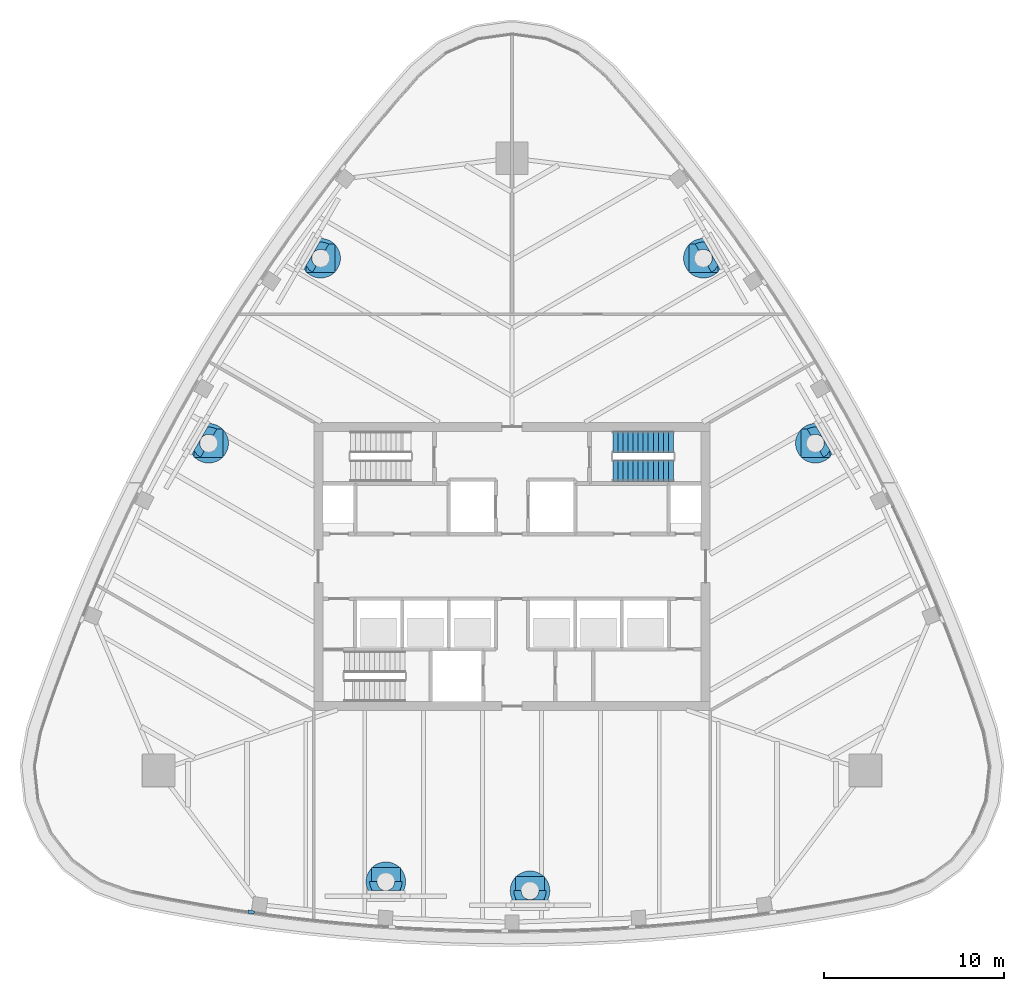
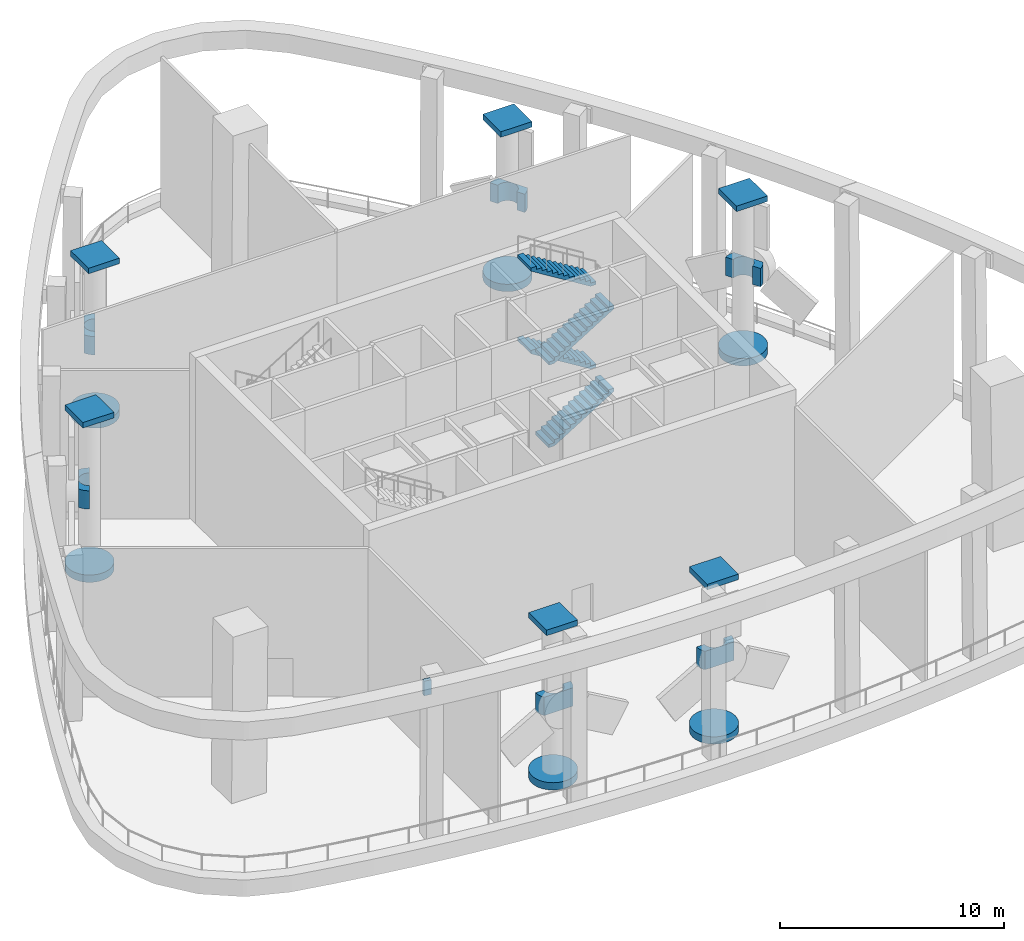
# One storey, part 5 of 12: 19 discrete accessories, 4 stair flights, 1 element without a shape of its own.
"""IFC4 building model written with IfcOpenShell, lengths in metres."""

from ifc_helpers import new_model, si_unit, direction, frame, origin, origin_2d, place, context, subcontext, project, spatial, polyline, rectangle, outline, extrude, material, type_object, element, aggregate, save


model = new_model("IFC4")

# Units and contexts
model_context = context("Model", 3, precision=1e-05, world=origin(), true_north=direction((0.0, 1.0)))
body_context = subcontext(model_context, "Body", "Model", "MODEL_VIEW")
ifc_project = project(units=[si_unit("LENGTHUNIT", "METRE"), si_unit("AREAUNIT", "SQUARE_METRE"), si_unit("VOLUMEUNIT", "CUBIC_METRE"), si_unit("PLANEANGLEUNIT", "RADIAN"), si_unit("MASSUNIT", "GRAM", prefix="KILO")], contexts=[model_context])

# Site, building, storey
site_placement = place(None, origin())
site = spatial("IfcSite", under=ifc_project, at=site_placement, CompositionType="ELEMENT")
building_placement = place(site_placement, origin())
building = spatial("IfcBuilding", under=site, at=building_placement, Name="Sierra Prisma Convention Tower", CompositionType="ELEMENT")
storey_placement = place(building_placement, frame((0.0, 0.0, 330.39990234375)))
storey = spatial("IfcBuildingStorey", under=building, at=storey_placement, Name="L75", CompositionType="ELEMENT", Elevation=330.39990234375)

# Stair, stair flights
ifc_material_1 = material(Name="Concrete C30/37", Category="concrete")
stair_type = type_object("IfcStairType", Name="Stair dog-leg 1200 RC", PredefinedType="HALF_TURN_STAIR", material=ifc_material_1)
stair_placement = place(storey_placement, origin())
stair = element("IfcStair", 1, at=stair_placement, inside=storey, type_object=stair_type, Name="L75 S4", PredefinedType="HALF_TURN_STAIR")
ifc_material_2 = material(Name="Concrete C30/37", Category="concrete")
stair_flight_type = type_object("IfcStairFlightType", Name="Stair flight RC 1200", PredefinedType="STRAIGHT", material=ifc_material_2)
stair_flight_1_placement = place(storey_placement, frame((5.60009765625, 5.300048828125, 0.0), z_axis=(0.0, 0.0, 1.0), x_axis=(1.0, 0.0, 0.0)))
stair_flight_1 = element("IfcStairFlight", 2, at=stair_flight_1_placement, type_object=stair_flight_type, Name="S4 flight 1", NumberOfRisers=13, NumberOfTreads=12, PredefinedType="STRAIGHT", RiserHeight=0.173076923, TreadLength=0.28, context=body_context, shape_type="SweptSolid", body=[
    extrude(outline(polyline([(0.0, 0.0), (0.0, 0.173095703125), (0.280029296875, 0.173095703125), (0.280029296875, 0.34619140625), (0.56005859375, 0.34619140625), (0.56005859375, 0.519287109375), (0.840087890625, 0.519287109375), (0.840087890625, 0.6923828125), (1.1201171875, 0.6923828125), (1.1201171875, 0.865478515625), (1.39990234375, 0.865478515625), (1.39990234375, 1.03857421875), (1.679931640625, 1.03857421875), (1.679931640625, 1.21142578125), (1.9599609375, 1.21142578125), (1.9599609375, 1.384521484375), (2.239990234375, 1.384521484375), (2.239990234375, 1.5576171875), (2.52001953125, 1.5576171875), (2.52001953125, 1.730712890625), (2.800048828125, 1.730712890625), (2.800048828125, 1.90380859375), (3.080078125, 1.90380859375), (3.080078125, 2.076904296875), (3.360107421875, 2.076904296875), (3.360107421875, 2.25), (3.360107421875, 1.900634765625), (0.28515625, 0.0), (0.0, 0.0)])), frame((0.0, 0.60009765625, 0.0), z_axis=(0.0, -1.0, 0.0), x_axis=(1.0, 0.0, 0.0)), (0.0, 0.0, 1.0), 1.199951171875),
])
stair_flight_2_placement = place(storey_placement, frame((8.9599609375, 6.89990234375, 2.25), z_axis=(0.0, 0.0, 1.0), x_axis=(-1.0, 0.0, 0.0)))
stair_flight_2 = element("IfcStairFlight", 3, at=stair_flight_2_placement, type_object=stair_flight_type, Name="S4 flight 2", NumberOfRisers=13, NumberOfTreads=12, PredefinedType="STRAIGHT", RiserHeight=0.173076923, TreadLength=0.28, context=body_context, shape_type="SweptSolid", body=[
    extrude(outline(polyline([(0.0, 0.0), (0.0, 0.173095703125), (0.280029296875, 0.173095703125), (0.280029296875, 0.34619140625), (0.56005859375, 0.34619140625), (0.56005859375, 0.519287109375), (0.840087890625, 0.519287109375), (0.840087890625, 0.6923828125), (1.1201171875, 0.6923828125), (1.1201171875, 0.865478515625), (1.39990234375, 0.865478515625), (1.39990234375, 1.03857421875), (1.679931640625, 1.03857421875), (1.679931640625, 1.21142578125), (1.9599609375, 1.21142578125), (1.9599609375, 1.384521484375), (2.239990234375, 1.384521484375), (2.239990234375, 1.5576171875), (2.52001953125, 1.5576171875), (2.52001953125, 1.730712890625), (2.800048828125, 1.730712890625), (2.800048828125, 1.90380859375), (3.080078125, 1.90380859375), (3.080078125, 2.076904296875), (3.360107421875, 2.076904296875), (3.360107421875, 2.25), (3.360107421875, 1.900634765625), (0.28515625, 0.0), (0.0, 0.0)])), frame((0.0, 0.60009765625, 0.0), z_axis=(0.0, -1.0, 0.0), x_axis=(1.0, 0.0, 0.0)), (0.0, 0.0, 1.0), 1.199951171875),
])
stair_flight_3_placement = place(storey_placement, frame((5.60009765625, 5.300048828125, 4.5), z_axis=(0.0, 0.0, 1.0), x_axis=(1.0, 0.0, 0.0)))
stair_flight_3 = element("IfcStairFlight", 4, at=stair_flight_3_placement, type_object=stair_flight_type, Name="S4 flight 3", NumberOfRisers=13, NumberOfTreads=12, PredefinedType="STRAIGHT", RiserHeight=0.173076923, TreadLength=0.28, context=body_context, shape_type="SweptSolid", body=[
    extrude(outline(polyline([(0.0, 0.0), (0.0, 0.173095703125), (0.280029296875, 0.173095703125), (0.280029296875, 0.34619140625), (0.56005859375, 0.34619140625), (0.56005859375, 0.519287109375), (0.840087890625, 0.519287109375), (0.840087890625, 0.6923828125), (1.1201171875, 0.6923828125), (1.1201171875, 0.865478515625), (1.39990234375, 0.865478515625), (1.39990234375, 1.03857421875), (1.679931640625, 1.03857421875), (1.679931640625, 1.21142578125), (1.9599609375, 1.21142578125), (1.9599609375, 1.384521484375), (2.239990234375, 1.384521484375), (2.239990234375, 1.5576171875), (2.52001953125, 1.5576171875), (2.52001953125, 1.730712890625), (2.800048828125, 1.730712890625), (2.800048828125, 1.90380859375), (3.080078125, 1.90380859375), (3.080078125, 2.076904296875), (3.360107421875, 2.076904296875), (3.360107421875, 2.25), (3.360107421875, 1.900634765625), (0.28515625, 0.0), (0.0, 0.0)])), frame((0.0, 0.60009765625, 0.0), z_axis=(0.0, -1.0, 0.0), x_axis=(1.0, 0.0, 0.0)), (0.0, 0.0, 1.0), 1.199951171875),
])
stair_flight_4_placement = place(storey_placement, frame((8.9599609375, 6.89990234375, 6.75), z_axis=(0.0, 0.0, 1.0), x_axis=(-1.0, 0.0, 0.0)))
stair_flight_4 = element("IfcStairFlight", 5, at=stair_flight_4_placement, type_object=stair_flight_type, Name="S4 flight 4", NumberOfRisers=13, NumberOfTreads=12, PredefinedType="STRAIGHT", RiserHeight=0.173076923, TreadLength=0.28, context=body_context, shape_type="SweptSolid", body=[
    extrude(outline(polyline([(0.0, 0.0), (0.0, 0.173095703125), (0.280029296875, 0.173095703125), (0.280029296875, 0.34619140625), (0.56005859375, 0.34619140625), (0.56005859375, 0.519287109375), (0.840087890625, 0.519287109375), (0.840087890625, 0.6923828125), (1.1201171875, 0.6923828125), (1.1201171875, 0.865478515625), (1.39990234375, 0.865478515625), (1.39990234375, 1.03857421875), (1.679931640625, 1.03857421875), (1.679931640625, 1.21142578125), (1.9599609375, 1.21142578125), (1.9599609375, 1.384521484375), (2.239990234375, 1.384521484375), (2.239990234375, 1.5576171875), (2.52001953125, 1.5576171875), (2.52001953125, 1.730712890625), (2.800048828125, 1.730712890625), (2.800048828125, 1.90380859375), (3.080078125, 1.90380859375), (3.080078125, 2.076904296875), (3.360107421875, 2.076904296875), (3.360107421875, 2.25), (3.360107421875, 1.900634765625), (0.28515625, 0.0), (0.0, 0.0)])), frame((0.0, 0.60009765625, 0.0), z_axis=(0.0, -1.0, 0.0), x_axis=(1.0, 0.0, 0.0)), (0.0, 0.0, 1.0), 1.199951171875),
])
aggregate(stair, [stair_flight_1, stair_flight_2, stair_flight_3, stair_flight_4])

# Discrete accessories
ifc_material_3 = material(Name="Steel S355J2 EN 10025-2", Category="steel")
discrete_accessory_type_1 = type_object("IfcDiscreteAccessoryType", Name="Header hanger", PredefinedType="USERDEFINED", material=ifc_material_3)
discrete_accessory_1_placement = place(storey_placement, frame((0.0, 0.0, 8.10009765625)))
element("IfcDiscreteAccessory", 6, at=discrete_accessory_1_placement, inside=storey, type_object=discrete_accessory_type_1, Name="Header hanger 1", ObjectType="HEADER HANGER", PredefinedType="USERDEFINED", context=body_context, shape_type="SweptSolid", body=[
    extrude(outline(polyline([(-14.635986328125, -19.071044921875), (-14.661865234375, -19.2529296875), (-14.3154296875, -19.302490234375), (-14.28955078125, -19.120361328125), (-14.635986328125, -19.071044921875)])), origin(), (0.0, 0.0, 1.0), 0.800048828125),
])
ifc_material_4 = material(Name="Steel S355J2 EN 10025-2", Category="steel")
discrete_accessory_type_2 = type_object("IfcDiscreteAccessoryType", Name="Rotor bearing", PredefinedType="USERDEFINED", material=ifc_material_4)
discrete_accessory_2_placement = place(storey_placement, frame((0.0, 0.0, 3.85009765625)))
element("IfcDiscreteAccessory", 7, at=discrete_accessory_2_placement, inside=storey, type_object=discrete_accessory_type_2, Name="Rotor bearing 1", ObjectType="ROTOR BEARING", PredefinedType="USERDEFINED", context=body_context, shape_type="SweptSolid", body=[
    extrude(outline(polyline([(0.206298828125, -18.42431640625), (0.16845703125, -18.344482421875), (0.138916015625, -18.26123046875), (0.1171875, -18.175537109375), (0.104248046875, -18.088134765625), (0.10009765625, -18.0), (0.510009765625, -18.0), (0.512451171875, -18.048095703125), (0.519287109375, -18.095703125), (0.531005859375, -18.14208984375), (0.54736328125, -18.1875), (0.56787109375, -18.23095703125), (0.592529296875, -18.272216796875), (0.62109375, -18.310791015625), (0.653564453125, -18.346435546875), (0.689208984375, -18.37890625), (0.727783203125, -18.407470703125), (0.76904296875, -18.43212890625), (0.8125, -18.45263671875), (0.85791015625, -18.468994140625), (0.904296875, -18.480712890625), (0.951904296875, -18.487548828125), (1.0, -18.489990234375), (1.048095703125, -18.487548828125), (1.095703125, -18.480712890625), (1.14208984375, -18.468994140625), (1.1875, -18.45263671875), (1.23095703125, -18.43212890625), (1.272216796875, -18.407470703125), (1.310791015625, -18.37890625), (1.346435546875, -18.346435546875), (1.37890625, -18.310791015625), (1.407470703125, -18.272216796875), (1.43212890625, -18.23095703125), (1.45263671875, -18.1875), (1.468994140625, -18.14208984375), (1.480712890625, -18.095703125), (1.487548828125, -18.048095703125), (1.489990234375, -18.0), (1.89990234375, -18.0), (1.895751953125, -18.088134765625), (1.8828125, -18.175537109375), (1.861083984375, -18.26123046875), (1.83154296875, -18.344482421875), (1.793701171875, -18.42431640625), (1.748291015625, -18.5), (0.251708984375, -18.5), (0.206298828125, -18.42431640625)])), origin(), (0.0, 0.0, 1.0), 1.0),
])
discrete_accessory_3_placement = place(storey_placement, frame((0.0, 0.0, 3.85009765625)))
element("IfcDiscreteAccessory", 8, at=discrete_accessory_3_placement, inside=storey, type_object=discrete_accessory_type_2, Name="Rotor bearing 2", ObjectType="ROTOR BEARING", PredefinedType="USERDEFINED", context=body_context, shape_type="SweptSolid", body=[
    extrude(outline(polyline([(17.602294921875, 6.359619140625), (17.552001953125, 6.287109375), (17.494873046875, 6.2197265625), (17.431396484375, 6.158203125), (17.3623046875, 6.103515625), (17.2880859375, 6.0556640625), (17.0830078125, 6.41064453125), (17.123291015625, 6.436767578125), (17.1611328125, 6.466552734375), (17.195556640625, 6.5), (17.226806640625, 6.53662109375), (17.254150390625, 6.576171875), (17.277587890625, 6.618408203125), (17.296630859375, 6.662353515625), (17.311279296875, 6.708251953125), (17.321533203125, 6.755126953125), (17.326904296875, 6.802978515625), (17.32763671875, 6.85107421875), (17.32373046875, 6.89892578125), (17.315185546875, 6.9462890625), (17.302001953125, 6.992431640625), (17.2841796875, 7.037109375), (17.262451171875, 7.080078125), (17.236328125, 7.120361328125), (17.206298828125, 7.158203125), (17.173095703125, 7.192626953125), (17.13623046875, 7.2236328125), (17.0966796875, 7.251220703125), (17.0546875, 7.2744140625), (17.010498046875, 7.293701171875), (16.96484375, 7.308349609375), (16.917724609375, 7.318603515625), (16.8701171875, 7.323974609375), (16.822021484375, 7.32470703125), (16.77392578125, 7.32080078125), (16.726806640625, 7.312255859375), (16.680419921875, 7.299072265625), (16.6357421875, 7.28125), (16.593017578125, 7.259521484375), (16.387939453125, 7.614501953125), (16.466552734375, 7.65478515625), (16.548583984375, 7.687255859375), (16.633544921875, 7.71142578125), (16.720458984375, 7.727294921875), (16.80859375, 7.734619140625), (16.896728515625, 7.733154296875), (17.645263671875, 6.43701171875), (17.602294921875, 6.359619140625)])), origin(), (0.0, 0.0, 1.0), 1.0),
])
discrete_accessory_4_placement = place(storey_placement, frame((0.0, 0.0, 3.85009765625)))
element("IfcDiscreteAccessory", 9, at=discrete_accessory_4_placement, inside=storey, type_object=discrete_accessory_type_2, Name="Rotor bearing 3", ObjectType="ROTOR BEARING", PredefinedType="USERDEFINED", context=body_context, shape_type="SweptSolid", body=[
    extrude(outline(polyline([(-16.80859375, 7.734619140625), (-16.720458984375, 7.727294921875), (-16.633544921875, 7.71142578125), (-16.548583984375, 7.687255859375), (-16.466552734375, 7.65478515625), (-16.387939453125, 7.614501953125), (-16.593017578125, 7.259521484375), (-16.6357421875, 7.28125), (-16.680419921875, 7.299072265625), (-16.726806640625, 7.312255859375), (-16.77392578125, 7.32080078125), (-16.822021484375, 7.32470703125), (-16.8701171875, 7.323974609375), (-16.917724609375, 7.318603515625), (-16.96484375, 7.308349609375), (-17.010498046875, 7.293701171875), (-17.0546875, 7.2744140625), (-17.0966796875, 7.251220703125), (-17.13623046875, 7.2236328125), (-17.173095703125, 7.192626953125), (-17.206298828125, 7.158203125), (-17.236328125, 7.120361328125), (-17.262451171875, 7.080078125), (-17.2841796875, 7.037109375), (-17.302001953125, 6.992431640625), (-17.315185546875, 6.9462890625), (-17.32373046875, 6.89892578125), (-17.32763671875, 6.85107421875), (-17.326904296875, 6.802978515625), (-17.321533203125, 6.755126953125), (-17.311279296875, 6.708251953125), (-17.296630859375, 6.662353515625), (-17.277587890625, 6.618408203125), (-17.254150390625, 6.576171875), (-17.226806640625, 6.53662109375), (-17.195556640625, 6.5), (-17.1611328125, 6.466552734375), (-17.123291015625, 6.436767578125), (-17.0830078125, 6.41064453125), (-17.2880859375, 6.0556640625), (-17.3623046875, 6.103515625), (-17.431396484375, 6.158203125), (-17.494873046875, 6.2197265625), (-17.552001953125, 6.287109375), (-17.602294921875, 6.359619140625), (-17.645263671875, 6.43701171875), (-16.896728515625, 7.733154296875), (-16.80859375, 7.734619140625)])), origin(), (0.0, 0.0, 1.0), 1.0),
])
discrete_accessory_5_placement = place(storey_placement, frame((0.0, 0.0, 3.85009765625)))
element("IfcDiscreteAccessory", 10, at=discrete_accessory_5_placement, inside=storey, type_object=discrete_accessory_type_2, Name="Rotor bearing 4", ObjectType="ROTOR BEARING", PredefinedType="USERDEFINED", context=body_context, shape_type="SweptSolid", body=[
    extrude(outline(polyline([(-7.793701171875, -17.92431640625), (-7.83154296875, -17.844482421875), (-7.861083984375, -17.76123046875), (-7.8828125, -17.675537109375), (-7.895751953125, -17.588134765625), (-7.89990234375, -17.5), (-7.489990234375, -17.5), (-7.487548828125, -17.548095703125), (-7.480712890625, -17.595703125), (-7.468994140625, -17.64208984375), (-7.45263671875, -17.6875), (-7.43212890625, -17.73095703125), (-7.407470703125, -17.772216796875), (-7.37890625, -17.810791015625), (-7.346435546875, -17.846435546875), (-7.310791015625, -17.87890625), (-7.272216796875, -17.907470703125), (-7.23095703125, -17.93212890625), (-7.1875, -17.95263671875), (-7.14208984375, -17.968994140625), (-7.095703125, -17.980712890625), (-7.048095703125, -17.987548828125), (-7.0, -17.989990234375), (-6.951904296875, -17.987548828125), (-6.904296875, -17.980712890625), (-6.85791015625, -17.968994140625), (-6.8125, -17.95263671875), (-6.76904296875, -17.93212890625), (-6.727783203125, -17.907470703125), (-6.689208984375, -17.87890625), (-6.653564453125, -17.846435546875), (-6.62109375, -17.810791015625), (-6.592529296875, -17.772216796875), (-6.56787109375, -17.73095703125), (-6.54736328125, -17.6875), (-6.531005859375, -17.64208984375), (-6.519287109375, -17.595703125), (-6.512451171875, -17.548095703125), (-6.510009765625, -17.5), (-6.10009765625, -17.5), (-6.104248046875, -17.588134765625), (-6.1171875, -17.675537109375), (-6.138916015625, -17.76123046875), (-6.16845703125, -17.844482421875), (-6.206298828125, -17.92431640625), (-6.251708984375, -18.0), (-7.748291015625, -18.0), (-7.793701171875, -17.92431640625)])), origin(), (0.0, 0.0, 1.0), 1.0),
])
discrete_accessory_6_placement = place(storey_placement, frame((0.0, 0.0, 3.85009765625)))
element("IfcDiscreteAccessory", 11, at=discrete_accessory_6_placement, inside=storey, type_object=discrete_accessory_type_2, Name="Rotor bearing 5", ObjectType="ROTOR BEARING", PredefinedType="USERDEFINED", context=body_context, shape_type="SweptSolid", body=[
    extrude(outline(polyline([(11.38623046875, 16.626708984375), (11.3359375, 16.55419921875), (11.27880859375, 16.48681640625), (11.21533203125, 16.42529296875), (11.146240234375, 16.370361328125), (11.072021484375, 16.322509765625), (10.866943359375, 16.677490234375), (10.907470703125, 16.70361328125), (10.945068359375, 16.733642578125), (10.9794921875, 16.76708984375), (11.0107421875, 16.8037109375), (11.0380859375, 16.84326171875), (11.0615234375, 16.88525390625), (11.08056640625, 16.929443359375), (11.09521484375, 16.97509765625), (11.10546875, 17.022216796875), (11.111083984375, 17.070068359375), (11.11181640625, 17.117919921875), (11.10791015625, 17.166015625), (11.09912109375, 17.21337890625), (11.0859375, 17.259521484375), (11.068359375, 17.30419921875), (11.04638671875, 17.346923828125), (11.020263671875, 17.387451171875), (10.990478515625, 17.425048828125), (10.95703125, 17.459716796875), (10.92041015625, 17.49072265625), (10.880859375, 17.51806640625), (10.838623046875, 17.54150390625), (10.794677734375, 17.560546875), (10.748779296875, 17.5751953125), (10.701904296875, 17.58544921875), (10.654052734375, 17.591064453125), (10.60595703125, 17.591796875), (10.55810546875, 17.587890625), (10.5107421875, 17.5791015625), (10.464599609375, 17.56591796875), (10.419921875, 17.54833984375), (10.376953125, 17.5263671875), (10.172119140625, 17.88134765625), (10.25048828125, 17.921875), (10.332763671875, 17.9541015625), (10.41748046875, 17.978515625), (10.50439453125, 17.994384765625), (10.592529296875, 18.00146484375), (10.680908203125, 18.0), (11.42919921875, 16.703857421875), (11.38623046875, 16.626708984375)])), origin(), (0.0, 0.0, 1.0), 1.0),
])
discrete_accessory_7_placement = place(storey_placement, frame((0.0, 0.0, 3.85009765625)))
element("IfcDiscreteAccessory", 12, at=discrete_accessory_7_placement, inside=storey, type_object=discrete_accessory_type_2, Name="Rotor bearing 6", ObjectType="ROTOR BEARING", PredefinedType="USERDEFINED", context=body_context, shape_type="SweptSolid", body=[
    extrude(outline(polyline([(-10.592529296875, 18.00146484375), (-10.50439453125, 17.994384765625), (-10.41748046875, 17.978515625), (-10.332763671875, 17.9541015625), (-10.25048828125, 17.921875), (-10.172119140625, 17.88134765625), (-10.376953125, 17.5263671875), (-10.419921875, 17.54833984375), (-10.464599609375, 17.56591796875), (-10.5107421875, 17.5791015625), (-10.55810546875, 17.587890625), (-10.60595703125, 17.591796875), (-10.654052734375, 17.591064453125), (-10.701904296875, 17.58544921875), (-10.748779296875, 17.5751953125), (-10.794677734375, 17.560546875), (-10.838623046875, 17.54150390625), (-10.880859375, 17.51806640625), (-10.92041015625, 17.49072265625), (-10.95703125, 17.459716796875), (-10.990478515625, 17.425048828125), (-11.020263671875, 17.387451171875), (-11.04638671875, 17.346923828125), (-11.068359375, 17.30419921875), (-11.0859375, 17.259521484375), (-11.09912109375, 17.21337890625), (-11.10791015625, 17.166015625), (-11.11181640625, 17.117919921875), (-11.111083984375, 17.070068359375), (-11.10546875, 17.022216796875), (-11.09521484375, 16.97509765625), (-11.08056640625, 16.929443359375), (-11.0615234375, 16.88525390625), (-11.0380859375, 16.84326171875), (-11.0107421875, 16.8037109375), (-10.9794921875, 16.76708984375), (-10.945068359375, 16.733642578125), (-10.907470703125, 16.70361328125), (-10.866943359375, 16.677490234375), (-11.072021484375, 16.322509765625), (-11.146240234375, 16.370361328125), (-11.21533203125, 16.42529296875), (-11.27880859375, 16.48681640625), (-11.3359375, 16.55419921875), (-11.38623046875, 16.626708984375), (-11.42919921875, 16.703857421875), (-10.680908203125, 18.0), (-10.592529296875, 18.00146484375)])), origin(), (0.0, 0.0, 1.0), 1.0),
])
ifc_material_5 = material(Name="Steel S355J2 EN 10025-2", Category="steel")
discrete_accessory_type_3 = type_object("IfcDiscreteAccessoryType", Name="Turbine collar", PredefinedType="USERDEFINED", material=ifc_material_5)
for number, where, z_axis, x_axis, name in (
    (13, (1.0, -18.0, 8.39990234375), (0.0, 0.0, 1.0), (1.0, 0.0, 0.0), "Turbine support 1"),
    (14, (16.837890625, 6.8349609375, 8.39990234375), (0.0, 0.0, 1.0), (1.0, 0.0, 0.0), "Turbine support 2"),
    (15, (-16.837890625, 6.8349609375, 8.39990234375), (0.0, 0.0, 1.0), (1.0, 0.0, 0.0), "Turbine support 3"),
    (16, (-7.0, -17.5, 8.39990234375), (0.0, 0.0, 1.0), (1.0, 0.0, 0.0), "Turbine support 4"),
    (17, (10.6220703125, 17.10205078125, 8.39990234375), (0.0, 0.0, 1.0), (1.0, 0.0, 0.0), "Turbine support 5"),
    (18, (-10.6220703125, 17.10205078125, 8.39990234375), (0.0, 0.0, 1.0), (1.0, 0.0, 0.0), "Turbine support 6"),
):
    element("IfcDiscreteAccessory", number, at=place(storey_placement, frame(where, z_axis=z_axis, x_axis=x_axis)), inside=storey, type_object=discrete_accessory_type_3, Name=name, ObjectType="TURBINE SUPPORT", PredefinedType="USERDEFINED", context=body_context, shape_type="SweptSolid", body=[
        extrude(rectangle(XDim=1.60009765625, YDim=1.60009765625, at=origin_2d()), origin(), (0.0, 0.0, 1.0), 0.300048828125),
    ])
ifc_material_6 = material(Name="Concrete C40/50", Category="concrete")
discrete_accessory_type_4 = type_object("IfcDiscreteAccessoryType", Name="Turbine plinth", PredefinedType="USERDEFINED", material=ifc_material_6)
discrete_accessory_8_placement = place(storey_placement, origin())
element("IfcDiscreteAccessory", 19, at=discrete_accessory_8_placement, inside=storey, type_object=discrete_accessory_type_4, Name="Turbine plinth 1", ObjectType="TURBINE PLINTH", PredefinedType="USERDEFINED", context=body_context, shape_type="SweptSolid", body=[
    extrude(outline(polyline([(2.10009765625, -18.0), (2.090576171875, -17.8564453125), (2.0625, -17.71533203125), (2.016357421875, -17.5791015625), (1.95263671875, -17.449951171875), (1.872802734375, -17.330322265625), (1.77783203125, -17.22216796875), (1.669677734375, -17.127197265625), (1.550048828125, -17.04736328125), (1.4208984375, -16.983642578125), (1.28466796875, -16.9375), (1.1435546875, -16.909423828125), (1.0, -16.89990234375), (0.8564453125, -16.909423828125), (0.71533203125, -16.9375), (0.5791015625, -16.983642578125), (0.449951171875, -17.04736328125), (0.330322265625, -17.127197265625), (0.22216796875, -17.22216796875), (0.127197265625, -17.330322265625), (0.04736328125, -17.449951171875), (-0.016357421875, -17.5791015625), (-0.0625, -17.71533203125), (-0.090576171875, -17.8564453125), (-0.10009765625, -18.0), (-0.090576171875, -18.1435546875), (-0.0625, -18.28466796875), (-0.016357421875, -18.4208984375), (0.04736328125, -18.550048828125), (0.127197265625, -18.669677734375), (0.22216796875, -18.77783203125), (0.330322265625, -18.872802734375), (0.449951171875, -18.95263671875), (0.5791015625, -19.016357421875), (0.71533203125, -19.0625), (0.8564453125, -19.090576171875), (1.0, -19.10009765625), (1.1435546875, -19.090576171875), (1.28466796875, -19.0625), (1.4208984375, -19.016357421875), (1.550048828125, -18.95263671875), (1.669677734375, -18.872802734375), (1.77783203125, -18.77783203125), (1.872802734375, -18.669677734375), (1.95263671875, -18.550048828125), (2.016357421875, -18.4208984375), (2.0625, -18.28466796875), (2.090576171875, -18.1435546875), (2.10009765625, -18.0)])), origin(), (0.0, 0.0, 1.0), 0.400146484375),
])
discrete_accessory_9_placement = place(storey_placement, origin())
element("IfcDiscreteAccessory", 20, at=discrete_accessory_9_placement, inside=storey, type_object=discrete_accessory_type_4, Name="Turbine plinth 2", ObjectType="TURBINE PLINTH", PredefinedType="USERDEFINED", context=body_context, shape_type="SweptSolid", body=[
    extrude(outline(polyline([(17.93798828125, 6.8349609375), (17.9287109375, 6.978515625), (17.900390625, 7.11962890625), (17.854248046875, 7.256103515625), (17.79052734375, 7.385009765625), (17.710693359375, 7.504638671875), (17.61572265625, 7.61279296875), (17.507568359375, 7.707763671875), (17.387939453125, 7.78759765625), (17.259033203125, 7.851318359375), (17.122802734375, 7.8974609375), (16.981689453125, 7.925537109375), (16.837890625, 7.93505859375), (16.6943359375, 7.925537109375), (16.55322265625, 7.8974609375), (16.4169921875, 7.851318359375), (16.2880859375, 7.78759765625), (16.16845703125, 7.707763671875), (16.060302734375, 7.61279296875), (15.96533203125, 7.504638671875), (15.885498046875, 7.385009765625), (15.82177734375, 7.256103515625), (15.775390625, 7.11962890625), (15.747314453125, 6.978515625), (15.738037109375, 6.8349609375), (15.747314453125, 6.69140625), (15.775390625, 6.55029296875), (15.82177734375, 6.4140625), (15.885498046875, 6.284912109375), (15.96533203125, 6.165283203125), (16.060302734375, 6.05712890625), (16.16845703125, 5.96240234375), (16.2880859375, 5.88232421875), (16.4169921875, 5.818603515625), (16.55322265625, 5.7724609375), (16.6943359375, 5.744384765625), (16.837890625, 5.735107421875), (16.981689453125, 5.744384765625), (17.122802734375, 5.7724609375), (17.259033203125, 5.818603515625), (17.387939453125, 5.88232421875), (17.507568359375, 5.96240234375), (17.61572265625, 6.05712890625), (17.710693359375, 6.165283203125), (17.79052734375, 6.284912109375), (17.854248046875, 6.4140625), (17.900390625, 6.55029296875), (17.9287109375, 6.69140625), (17.93798828125, 6.8349609375)])), origin(), (0.0, 0.0, 1.0), 0.400146484375),
])
discrete_accessory_10_placement = place(storey_placement, origin())
element("IfcDiscreteAccessory", 21, at=discrete_accessory_10_placement, inside=storey, type_object=discrete_accessory_type_4, Name="Turbine plinth 3", ObjectType="TURBINE PLINTH", PredefinedType="USERDEFINED", context=body_context, shape_type="SweptSolid", body=[
    extrude(outline(polyline([(-15.738037109375, 6.8349609375), (-15.747314453125, 6.978515625), (-15.775390625, 7.11962890625), (-15.82177734375, 7.256103515625), (-15.885498046875, 7.385009765625), (-15.96533203125, 7.504638671875), (-16.060302734375, 7.61279296875), (-16.16845703125, 7.707763671875), (-16.2880859375, 7.78759765625), (-16.4169921875, 7.851318359375), (-16.55322265625, 7.8974609375), (-16.6943359375, 7.925537109375), (-16.837890625, 7.93505859375), (-16.981689453125, 7.925537109375), (-17.122802734375, 7.8974609375), (-17.259033203125, 7.851318359375), (-17.387939453125, 7.78759765625), (-17.507568359375, 7.707763671875), (-17.61572265625, 7.61279296875), (-17.710693359375, 7.504638671875), (-17.79052734375, 7.385009765625), (-17.854248046875, 7.256103515625), (-17.900390625, 7.11962890625), (-17.9287109375, 6.978515625), (-17.93798828125, 6.8349609375), (-17.9287109375, 6.69140625), (-17.900390625, 6.55029296875), (-17.854248046875, 6.4140625), (-17.79052734375, 6.284912109375), (-17.710693359375, 6.165283203125), (-17.61572265625, 6.05712890625), (-17.507568359375, 5.96240234375), (-17.387939453125, 5.88232421875), (-17.259033203125, 5.818603515625), (-17.122802734375, 5.7724609375), (-16.981689453125, 5.744384765625), (-16.837890625, 5.735107421875), (-16.6943359375, 5.744384765625), (-16.55322265625, 5.7724609375), (-16.4169921875, 5.818603515625), (-16.2880859375, 5.88232421875), (-16.16845703125, 5.96240234375), (-16.060302734375, 6.05712890625), (-15.96533203125, 6.165283203125), (-15.885498046875, 6.284912109375), (-15.82177734375, 6.4140625), (-15.775390625, 6.55029296875), (-15.747314453125, 6.69140625), (-15.738037109375, 6.8349609375)])), origin(), (0.0, 0.0, 1.0), 0.400146484375),
])
discrete_accessory_11_placement = place(storey_placement, origin())
element("IfcDiscreteAccessory", 22, at=discrete_accessory_11_placement, inside=storey, type_object=discrete_accessory_type_4, Name="Turbine plinth 4", ObjectType="TURBINE PLINTH", PredefinedType="USERDEFINED", context=body_context, shape_type="SweptSolid", body=[
    extrude(outline(polyline([(-5.89990234375, -17.5), (-5.909423828125, -17.3564453125), (-5.9375, -17.21533203125), (-5.983642578125, -17.0791015625), (-6.04736328125, -16.949951171875), (-6.127197265625, -16.830322265625), (-6.22216796875, -16.72216796875), (-6.330322265625, -16.627197265625), (-6.449951171875, -16.54736328125), (-6.5791015625, -16.483642578125), (-6.71533203125, -16.4375), (-6.8564453125, -16.409423828125), (-7.0, -16.39990234375), (-7.1435546875, -16.409423828125), (-7.28466796875, -16.4375), (-7.4208984375, -16.483642578125), (-7.550048828125, -16.54736328125), (-7.669677734375, -16.627197265625), (-7.77783203125, -16.72216796875), (-7.872802734375, -16.830322265625), (-7.95263671875, -16.949951171875), (-8.016357421875, -17.0791015625), (-8.0625, -17.21533203125), (-8.090576171875, -17.3564453125), (-8.10009765625, -17.5), (-8.090576171875, -17.6435546875), (-8.0625, -17.78466796875), (-8.016357421875, -17.9208984375), (-7.95263671875, -18.050048828125), (-7.872802734375, -18.169677734375), (-7.77783203125, -18.27783203125), (-7.669677734375, -18.372802734375), (-7.550048828125, -18.45263671875), (-7.4208984375, -18.516357421875), (-7.28466796875, -18.5625), (-7.1435546875, -18.590576171875), (-7.0, -18.60009765625), (-6.8564453125, -18.590576171875), (-6.71533203125, -18.5625), (-6.5791015625, -18.516357421875), (-6.449951171875, -18.45263671875), (-6.330322265625, -18.372802734375), (-6.22216796875, -18.27783203125), (-6.127197265625, -18.169677734375), (-6.04736328125, -18.050048828125), (-5.983642578125, -17.9208984375), (-5.9375, -17.78466796875), (-5.909423828125, -17.6435546875), (-5.89990234375, -17.5)])), origin(), (0.0, 0.0, 1.0), 0.400146484375),
])
discrete_accessory_12_placement = place(storey_placement, origin())
element("IfcDiscreteAccessory", 23, at=discrete_accessory_12_placement, inside=storey, type_object=discrete_accessory_type_4, Name="Turbine plinth 5", ObjectType="TURBINE PLINTH", PredefinedType="USERDEFINED", context=body_context, shape_type="SweptSolid", body=[
    extrude(outline(polyline([(11.721923828125, 17.10205078125), (11.712646484375, 17.24560546875), (11.6845703125, 17.38671875), (11.63818359375, 17.52294921875), (11.57470703125, 17.652099609375), (11.49462890625, 17.771484375), (11.39990234375, 17.8798828125), (11.29150390625, 17.974609375), (11.172119140625, 18.0546875), (11.04296875, 18.118408203125), (10.90673828125, 18.16455078125), (10.765625, 18.192626953125), (10.6220703125, 18.201904296875), (10.478515625, 18.192626953125), (10.33740234375, 18.16455078125), (10.200927734375, 18.118408203125), (10.072021484375, 18.0546875), (9.952392578125, 17.974609375), (9.84423828125, 17.8798828125), (9.749267578125, 17.771484375), (9.66943359375, 17.652099609375), (9.605712890625, 17.52294921875), (9.5595703125, 17.38671875), (9.531494140625, 17.24560546875), (9.52197265625, 17.10205078125), (9.531494140625, 16.95849609375), (9.5595703125, 16.8173828125), (9.605712890625, 16.680908203125), (9.66943359375, 16.552001953125), (9.749267578125, 16.432373046875), (9.84423828125, 16.32421875), (9.952392578125, 16.229248046875), (10.072021484375, 16.1494140625), (10.200927734375, 16.085693359375), (10.33740234375, 16.03955078125), (10.478515625, 16.011474609375), (10.6220703125, 16.001953125), (10.765625, 16.011474609375), (10.90673828125, 16.03955078125), (11.04296875, 16.085693359375), (11.172119140625, 16.1494140625), (11.29150390625, 16.229248046875), (11.39990234375, 16.32421875), (11.49462890625, 16.432373046875), (11.57470703125, 16.552001953125), (11.63818359375, 16.680908203125), (11.6845703125, 16.8173828125), (11.712646484375, 16.95849609375), (11.721923828125, 17.10205078125)])), origin(), (0.0, 0.0, 1.0), 0.400146484375),
])
discrete_accessory_13_placement = place(storey_placement, origin())
element("IfcDiscreteAccessory", 24, at=discrete_accessory_13_placement, inside=storey, type_object=discrete_accessory_type_4, Name="Turbine plinth 6", ObjectType="TURBINE PLINTH", PredefinedType="USERDEFINED", context=body_context, shape_type="SweptSolid", body=[
    extrude(outline(polyline([(-9.52197265625, 17.10205078125), (-9.531494140625, 17.24560546875), (-9.5595703125, 17.38671875), (-9.605712890625, 17.52294921875), (-9.66943359375, 17.652099609375), (-9.749267578125, 17.771484375), (-9.84423828125, 17.8798828125), (-9.952392578125, 17.974609375), (-10.072021484375, 18.0546875), (-10.200927734375, 18.118408203125), (-10.33740234375, 18.16455078125), (-10.478515625, 18.192626953125), (-10.6220703125, 18.201904296875), (-10.765625, 18.192626953125), (-10.90673828125, 18.16455078125), (-11.04296875, 18.118408203125), (-11.172119140625, 18.0546875), (-11.29150390625, 17.974609375), (-11.39990234375, 17.8798828125), (-11.49462890625, 17.771484375), (-11.57470703125, 17.652099609375), (-11.63818359375, 17.52294921875), (-11.6845703125, 17.38671875), (-11.712646484375, 17.24560546875), (-11.721923828125, 17.10205078125), (-11.712646484375, 16.95849609375), (-11.6845703125, 16.8173828125), (-11.63818359375, 16.680908203125), (-11.57470703125, 16.552001953125), (-11.49462890625, 16.432373046875), (-11.39990234375, 16.32421875), (-11.29150390625, 16.229248046875), (-11.172119140625, 16.1494140625), (-11.04296875, 16.085693359375), (-10.90673828125, 16.03955078125), (-10.765625, 16.011474609375), (-10.6220703125, 16.001953125), (-10.478515625, 16.011474609375), (-10.33740234375, 16.03955078125), (-10.200927734375, 16.085693359375), (-10.072021484375, 16.1494140625), (-9.952392578125, 16.229248046875), (-9.84423828125, 16.32421875), (-9.749267578125, 16.432373046875), (-9.66943359375, 16.552001953125), (-9.605712890625, 16.680908203125), (-9.5595703125, 16.8173828125), (-9.531494140625, 16.95849609375), (-9.52197265625, 17.10205078125)])), origin(), (0.0, 0.0, 1.0), 0.400146484375),
])

save(model, "model.ifc")
